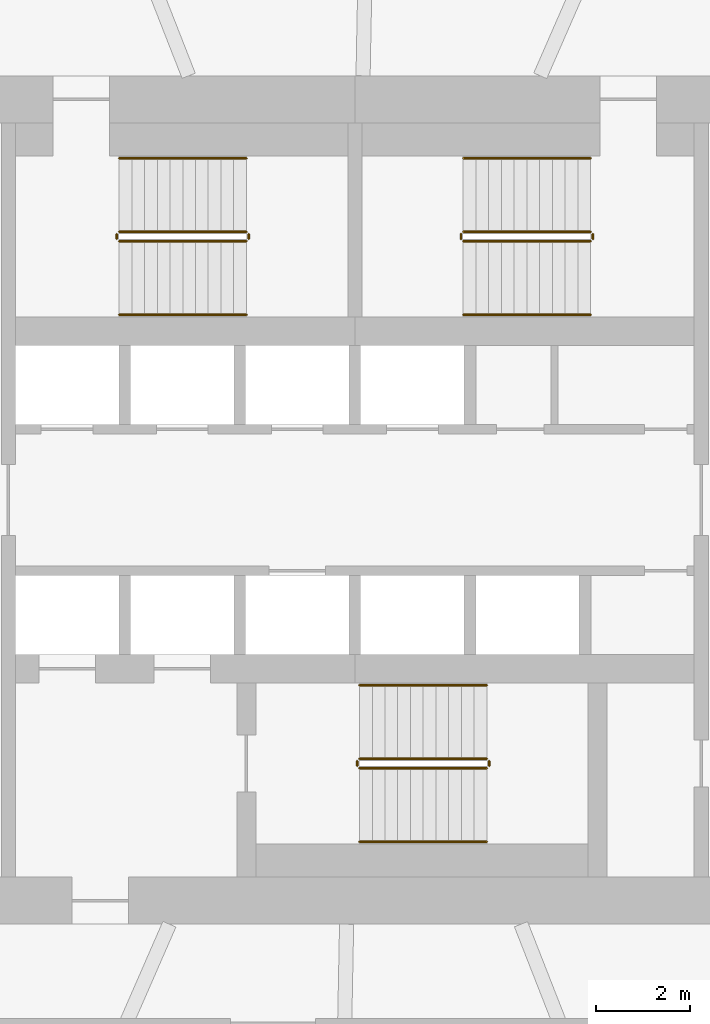
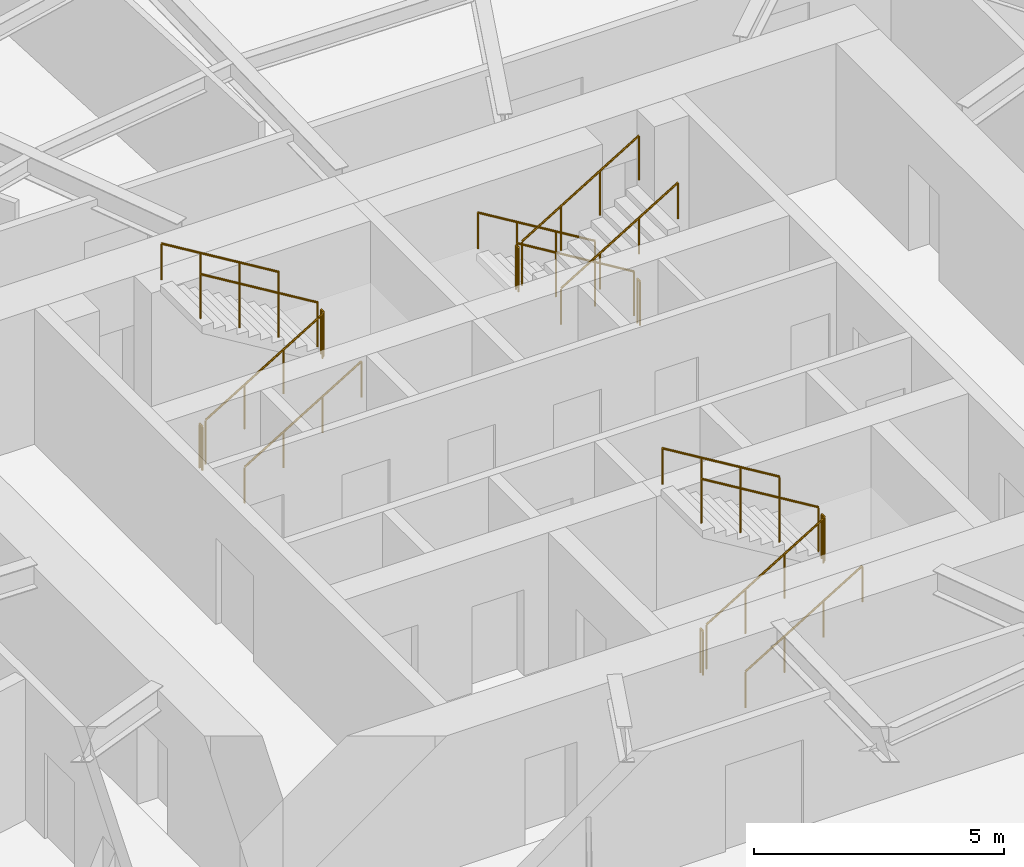
# One storey, part 13 of 15: 18 railings.
"""IFC4 building model written with IfcOpenShell, lengths in metres."""

from ifc_helpers import new_model, si_unit, direction, frame, origin, origin_2d, place, context, subcontext, project, spatial, circle, extrude, material, type_object, element, save


model = new_model("IFC4")

# Units and contexts
model_context = context("Model", 3, precision=1e-05, world=origin(), true_north=direction((0.0, 1.0)))
body_context = subcontext(model_context, "Body", "Model", "MODEL_VIEW")
ifc_project = project(units=[si_unit("LENGTHUNIT", "METRE"), si_unit("AREAUNIT", "SQUARE_METRE"), si_unit("VOLUMEUNIT", "CUBIC_METRE"), si_unit("PLANEANGLEUNIT", "RADIAN"), si_unit("MASSUNIT", "GRAM", prefix="KILO")], contexts=[model_context])

# Site, building, storey
site_placement = place(None, origin())
site = spatial("IfcSite", under=ifc_project, at=site_placement, CompositionType="ELEMENT")
building_placement = place(site_placement, origin())
building = spatial("IfcBuilding", under=site, at=building_placement, Name="Vermilion Reach Broadcast Tower", CompositionType="ELEMENT")
storey_placement = place(building_placement, frame((0.0, 0.0, 183.0)))
storey = spatial("IfcBuildingStorey", under=building, at=storey_placement, Name="L44", CompositionType="ELEMENT", Elevation=183.0)

# Railings
ifc_material_1 = material(Name="Stainless steel", Category="steel")
railing_type_1 = type_object("IfcRailingType", Name="Stair guard 1100", PredefinedType="GUARDRAIL", material=ifc_material_1)
railing_1_placement = place(storey_placement, frame((-11.0, 5.489990234375, 0.16357421875)))
element("IfcRailing", 1, at=railing_1_placement, inside=storey, type_object=railing_type_1, Name="L44 ST1 stair guard 1", PredefinedType="GUARDRAIL", context=body_context, shape_type="SweptSolid", body=[
    extrude(circle(Radius=0.02392578125, at=origin_2d()), frame((0.0, 0.0, 1.076171875), z_axis=(0.855178096276, 0.0, 0.518334277904), x_axis=(0.0, 1.0, 0.0)), (0.0, 0.0, 1.0), 3.1572265625),
    extrude(circle(Radius=0.02099609375, at=origin_2d()), origin(), (0.0, 0.0, 1.0), 1.052001953125),
    extrude(circle(Radius=0.02099609375, at=origin_2d()), frame((0.89990234375, 0.0, 0.54541015625)), (0.0, 0.0, 1.0), 1.052001953125),
    extrude(circle(Radius=0.02099609375, at=origin_2d()), frame((1.800048828125, 0.0, 1.091064453125)), (0.0, 0.0, 1.0), 1.052001953125),
    extrude(circle(Radius=0.02099609375, at=origin_2d()), frame((2.699951171875, 0.0, 1.636474609375)), (0.0, 0.0, 1.0), 1.052001953125),
])
railing_2_placement = place(storey_placement, frame((-8.25, 5.5400390625, 1.800048828125)))
element("IfcRailing", 2, at=railing_2_placement, inside=storey, type_object=railing_type_1, Name="L44 ST1 stair guard 2", PredefinedType="GUARDRAIL", context=body_context, shape_type="SweptSolid", body=[
    extrude(circle(Radius=0.02392578125, at=origin_2d()), frame((0.0, 0.0, 1.076171875), z_axis=(0.0, 1.0, 0.0), x_axis=(-1.0, 0.0, 0.0)), (0.0, 0.0, 1.0), 0.099853515625),
    extrude(circle(Radius=0.02099609375, at=origin_2d()), origin(), (0.0, 0.0, 1.0), 1.052001953125),
    extrude(circle(Radius=0.02099609375, at=origin_2d()), frame((0.0, 0.099853515625, 0.0)), (0.0, 0.0, 1.0), 1.052001953125),
])
railing_3_placement = place(storey_placement, frame((-8.300048828125, 5.68994140625, 1.963623046875)))
element("IfcRailing", 3, at=railing_3_placement, inside=storey, type_object=railing_type_1, Name="L44 ST1 stair guard 3", PredefinedType="GUARDRAIL", context=body_context, shape_type="SweptSolid", body=[
    extrude(circle(Radius=0.02392578125, at=origin_2d()), frame((0.0, 0.0, 1.076171875), z_axis=(-0.855178096276, 0.0, 0.518334277904), x_axis=(0.0, -1.0, 0.0)), (0.0, 0.0, 1.0), 3.1572265625),
    extrude(circle(Radius=0.02099609375, at=origin_2d()), origin(), (0.0, 0.0, 1.0), 1.052001953125),
    extrude(circle(Radius=0.02099609375, at=origin_2d()), frame((-0.89990234375, 0.0, 0.54541015625)), (0.0, 0.0, 1.0), 1.052001953125),
    extrude(circle(Radius=0.02099609375, at=origin_2d()), frame((-1.800048828125, 0.0, 1.091064453125)), (0.0, 0.0, 1.0), 1.052001953125),
    extrude(circle(Radius=0.02099609375, at=origin_2d()), frame((-2.699951171875, 0.0, 1.636474609375)), (0.0, 0.0, 1.0), 1.052001953125),
])
railing_4_placement = place(storey_placement, frame((-11.050048828125, 5.5400390625, 0.0)))
element("IfcRailing", 4, at=railing_4_placement, inside=storey, type_object=railing_type_1, Name="L44 ST1 stair guard 4", PredefinedType="GUARDRAIL", context=body_context, shape_type="SweptSolid", body=[
    extrude(circle(Radius=0.02392578125, at=origin_2d()), frame((0.0, 0.0, 1.076171875), z_axis=(0.0, 1.0, 0.0), x_axis=(-1.0, 0.0, 0.0)), (0.0, 0.0, 1.0), 0.099853515625),
    extrude(circle(Radius=0.02099609375, at=origin_2d()), origin(), (0.0, 0.0, 1.0), 1.052001953125),
    extrude(circle(Radius=0.02099609375, at=origin_2d()), frame((0.0, 0.099853515625, 0.0)), (0.0, 0.0, 1.0), 1.052001953125),
])
railing_5_placement = place(storey_placement, frame((-1.0, 5.68994140625, 0.16357421875)))
element("IfcRailing", 5, at=railing_5_placement, inside=storey, type_object=railing_type_1, Name="L44 ST2 stair guard 1", PredefinedType="GUARDRAIL", context=body_context, shape_type="SweptSolid", body=[
    extrude(circle(Radius=0.02392578125, at=origin_2d()), frame((0.0, 0.0, 1.076171875), z_axis=(-0.855178096276, 0.0, 0.518334277904), x_axis=(0.0, -1.0, 0.0)), (0.0, 0.0, 1.0), 3.1572265625),
    extrude(circle(Radius=0.02099609375, at=origin_2d()), origin(), (0.0, 0.0, 1.0), 1.052001953125),
    extrude(circle(Radius=0.02099609375, at=origin_2d()), frame((-0.89990234375, 0.0, 0.54541015625)), (0.0, 0.0, 1.0), 1.052001953125),
    extrude(circle(Radius=0.02099609375, at=origin_2d()), frame((-1.800048828125, 0.0, 1.091064453125)), (0.0, 0.0, 1.0), 1.052001953125),
    extrude(circle(Radius=0.02099609375, at=origin_2d()), frame((-2.699951171875, 0.0, 1.636474609375)), (0.0, 0.0, 1.0), 1.052001953125),
])
railing_6_placement = place(storey_placement, frame((-3.75, 5.639892578125, 1.800048828125)))
element("IfcRailing", 6, at=railing_6_placement, inside=storey, type_object=railing_type_1, Name="L44 ST2 stair guard 2", PredefinedType="GUARDRAIL", context=body_context, shape_type="SweptSolid", body=[
    extrude(circle(Radius=0.02392578125, at=origin_2d()), frame((0.0, 0.0, 1.076171875), z_axis=(0.0, -1.0, 0.0), x_axis=(1.0, 0.0, 0.0)), (0.0, 0.0, 1.0), 0.099853515625),
    extrude(circle(Radius=0.02099609375, at=origin_2d()), origin(), (0.0, 0.0, 1.0), 1.052001953125),
    extrude(circle(Radius=0.02099609375, at=origin_2d()), frame((0.0, -0.099853515625, 0.0)), (0.0, 0.0, 1.0), 1.052001953125),
])
railing_7_placement = place(storey_placement, frame((-3.699951171875, 5.489990234375, 1.963623046875)))
element("IfcRailing", 7, at=railing_7_placement, inside=storey, type_object=railing_type_1, Name="L44 ST2 stair guard 3", PredefinedType="GUARDRAIL", context=body_context, shape_type="SweptSolid", body=[
    extrude(circle(Radius=0.02392578125, at=origin_2d()), frame((0.0, 0.0, 1.076171875), z_axis=(0.855178096276, 0.0, 0.518334277904), x_axis=(0.0, 1.0, 0.0)), (0.0, 0.0, 1.0), 3.1572265625),
    extrude(circle(Radius=0.02099609375, at=origin_2d()), origin(), (0.0, 0.0, 1.0), 1.052001953125),
    extrude(circle(Radius=0.02099609375, at=origin_2d()), frame((0.89990234375, 0.0, 0.54541015625)), (0.0, 0.0, 1.0), 1.052001953125),
    extrude(circle(Radius=0.02099609375, at=origin_2d()), frame((1.800048828125, 0.0, 1.091064453125)), (0.0, 0.0, 1.0), 1.052001953125),
    extrude(circle(Radius=0.02099609375, at=origin_2d()), frame((2.699951171875, 0.0, 1.636474609375)), (0.0, 0.0, 1.0), 1.052001953125),
])
railing_8_placement = place(storey_placement, frame((-0.949951171875, 5.639892578125, 0.0)))
element("IfcRailing", 8, at=railing_8_placement, inside=storey, type_object=railing_type_1, Name="L44 ST2 stair guard 4", PredefinedType="GUARDRAIL", context=body_context, shape_type="SweptSolid", body=[
    extrude(circle(Radius=0.02392578125, at=origin_2d()), frame((0.0, 0.0, 1.076171875), z_axis=(0.0, -1.0, 0.0), x_axis=(1.0, 0.0, 0.0)), (0.0, 0.0, 1.0), 0.099853515625),
    extrude(circle(Radius=0.02099609375, at=origin_2d()), origin(), (0.0, 0.0, 1.0), 1.052001953125),
    extrude(circle(Radius=0.02099609375, at=origin_2d()), frame((0.0, -0.099853515625, 0.0)), (0.0, 0.0, 1.0), 1.052001953125),
])
railing_9_placement = place(storey_placement, frame((-5.89990234375, -5.68994140625, 0.16357421875)))
element("IfcRailing", 9, at=railing_9_placement, inside=storey, type_object=railing_type_1, Name="L44 ST3 stair guard 1", PredefinedType="GUARDRAIL", context=body_context, shape_type="SweptSolid", body=[
    extrude(circle(Radius=0.02392578125, at=origin_2d()), frame((0.0, 0.0, 1.076171875), z_axis=(0.855178096276, 0.0, 0.518334277904), x_axis=(0.0, 1.0, 0.0)), (0.0, 0.0, 1.0), 3.1572265625),
    extrude(circle(Radius=0.02099609375, at=origin_2d()), origin(), (0.0, 0.0, 1.0), 1.052001953125),
    extrude(circle(Radius=0.02099609375, at=origin_2d()), frame((0.89990234375, 0.0, 0.54541015625)), (0.0, 0.0, 1.0), 1.052001953125),
    extrude(circle(Radius=0.02099609375, at=origin_2d()), frame((1.800048828125, 0.0, 1.091064453125)), (0.0, 0.0, 1.0), 1.052001953125),
    extrude(circle(Radius=0.02099609375, at=origin_2d()), frame((2.699951171875, 0.0, 1.636474609375)), (0.0, 0.0, 1.0), 1.052001953125),
])
railing_10_placement = place(storey_placement, frame((-3.14990234375, -5.639892578125, 1.800048828125)))
element("IfcRailing", 10, at=railing_10_placement, inside=storey, type_object=railing_type_1, Name="L44 ST3 stair guard 2", PredefinedType="GUARDRAIL", context=body_context, shape_type="SweptSolid", body=[
    extrude(circle(Radius=0.02392578125, at=origin_2d()), frame((0.0, 0.0, 1.076171875), z_axis=(0.0, 1.0, 0.0), x_axis=(-1.0, 0.0, 0.0)), (0.0, 0.0, 1.0), 0.099853515625),
    extrude(circle(Radius=0.02099609375, at=origin_2d()), origin(), (0.0, 0.0, 1.0), 1.052001953125),
    extrude(circle(Radius=0.02099609375, at=origin_2d()), frame((0.0, 0.099853515625, 0.0)), (0.0, 0.0, 1.0), 1.052001953125),
])
railing_11_placement = place(storey_placement, frame((-3.199951171875, -5.489990234375, 1.963623046875)))
element("IfcRailing", 11, at=railing_11_placement, inside=storey, type_object=railing_type_1, Name="L44 ST3 stair guard 3", PredefinedType="GUARDRAIL", context=body_context, shape_type="SweptSolid", body=[
    extrude(circle(Radius=0.02392578125, at=origin_2d()), frame((0.0, 0.0, 1.076171875), z_axis=(-0.855178096276, 0.0, 0.518334277904), x_axis=(0.0, -1.0, 0.0)), (0.0, 0.0, 1.0), 3.1572265625),
    extrude(circle(Radius=0.02099609375, at=origin_2d()), origin(), (0.0, 0.0, 1.0), 1.052001953125),
    extrude(circle(Radius=0.02099609375, at=origin_2d()), frame((-0.89990234375, 0.0, 0.54541015625)), (0.0, 0.0, 1.0), 1.052001953125),
    extrude(circle(Radius=0.02099609375, at=origin_2d()), frame((-1.800048828125, 0.0, 1.091064453125)), (0.0, 0.0, 1.0), 1.052001953125),
    extrude(circle(Radius=0.02099609375, at=origin_2d()), frame((-2.699951171875, 0.0, 1.636474609375)), (0.0, 0.0, 1.0), 1.052001953125),
])
railing_12_placement = place(storey_placement, frame((-5.949951171875, -5.639892578125, 0.0)))
element("IfcRailing", 12, at=railing_12_placement, inside=storey, type_object=railing_type_1, Name="L44 ST3 stair guard 4", PredefinedType="GUARDRAIL", context=body_context, shape_type="SweptSolid", body=[
    extrude(circle(Radius=0.02392578125, at=origin_2d()), frame((0.0, 0.0, 1.076171875), z_axis=(0.0, 1.0, 0.0), x_axis=(-1.0, 0.0, 0.0)), (0.0, 0.0, 1.0), 0.099853515625),
    extrude(circle(Radius=0.02099609375, at=origin_2d()), origin(), (0.0, 0.0, 1.0), 1.052001953125),
    extrude(circle(Radius=0.02099609375, at=origin_2d()), frame((0.0, 0.099853515625, 0.0)), (0.0, 0.0, 1.0), 1.052001953125),
])
ifc_material_2 = material(Name="Stainless steel", Category="steel")
railing_type_2 = type_object("IfcRailingType", Name="Stair handrail", PredefinedType="HANDRAIL", material=ifc_material_2)
railing_13_placement = place(storey_placement, frame((-11.0, 3.929931640625, 0.16357421875)))
element("IfcRailing", 13, at=railing_13_placement, inside=storey, type_object=railing_type_2, Name="L44 ST1 stair handrail 1", PredefinedType="HANDRAIL", context=body_context, shape_type="SweptSolid", body=[
    extrude(circle(Radius=0.02392578125, at=origin_2d()), frame((0.0, 0.0, 0.8759765625), z_axis=(0.855178096276, 0.0, 0.518334277904), x_axis=(0.0, 1.0, 0.0)), (0.0, 0.0, 1.0), 3.1572265625),
    extrude(circle(Radius=0.02099609375, at=origin_2d()), origin(), (0.0, 0.0, 1.0), 0.851806640625),
    extrude(circle(Radius=0.02099609375, at=origin_2d()), frame((0.89990234375, 0.0, 0.54541015625)), (0.0, 0.0, 1.0), 0.851806640625),
    extrude(circle(Radius=0.02099609375, at=origin_2d()), frame((1.800048828125, 0.0, 1.091064453125)), (0.0, 0.0, 1.0), 0.851806640625),
    extrude(circle(Radius=0.02099609375, at=origin_2d()), frame((2.699951171875, 0.0, 1.636474609375)), (0.0, 0.0, 1.0), 0.851806640625),
])
for number, where, name in (
    (14, (-8.300048828125, 7.25, 1.963623046875), "L44 ST1 stair handrail 2"),
    (15, (-1.0, 7.25, 0.16357421875), "L44 ST2 stair handrail 1"),
):
    element("IfcRailing", number, at=place(storey_placement, frame(where)), inside=storey, type_object=railing_type_2, Name=name, PredefinedType="HANDRAIL", context=body_context, shape_type="SweptSolid", body=[
        extrude(circle(Radius=0.02392578125, at=origin_2d()), frame((0.0, 0.0, 0.8759765625), z_axis=(-0.855178096276, 0.0, 0.518334277904), x_axis=(0.0, -1.0, 0.0)), (0.0, 0.0, 1.0), 3.1572265625),
        extrude(circle(Radius=0.02099609375, at=origin_2d()), origin(), (0.0, 0.0, 1.0), 0.851806640625),
        extrude(circle(Radius=0.02099609375, at=origin_2d()), frame((-0.89990234375, 0.0, 0.54541015625)), (0.0, 0.0, 1.0), 0.851806640625),
        extrude(circle(Radius=0.02099609375, at=origin_2d()), frame((-1.800048828125, 0.0, 1.091064453125)), (0.0, 0.0, 1.0), 0.851806640625),
        extrude(circle(Radius=0.02099609375, at=origin_2d()), frame((-2.699951171875, 0.0, 1.636474609375)), (0.0, 0.0, 1.0), 0.851806640625),
    ])
for number, where, name in (
    (16, (-3.699951171875, 3.929931640625, 1.963623046875), "L44 ST2 stair handrail 2"),
    (17, (-5.89990234375, -7.25, 0.16357421875), "L44 ST3 stair handrail 1"),
):
    element("IfcRailing", number, at=place(storey_placement, frame(where)), inside=storey, type_object=railing_type_2, Name=name, PredefinedType="HANDRAIL", context=body_context, shape_type="SweptSolid", body=[
        extrude(circle(Radius=0.02392578125, at=origin_2d()), frame((0.0, 0.0, 0.8759765625), z_axis=(0.855178096276, 0.0, 0.518334277904), x_axis=(0.0, 1.0, 0.0)), (0.0, 0.0, 1.0), 3.1572265625),
        extrude(circle(Radius=0.02099609375, at=origin_2d()), origin(), (0.0, 0.0, 1.0), 0.851806640625),
        extrude(circle(Radius=0.02099609375, at=origin_2d()), frame((0.89990234375, 0.0, 0.54541015625)), (0.0, 0.0, 1.0), 0.851806640625),
        extrude(circle(Radius=0.02099609375, at=origin_2d()), frame((1.800048828125, 0.0, 1.091064453125)), (0.0, 0.0, 1.0), 0.851806640625),
        extrude(circle(Radius=0.02099609375, at=origin_2d()), frame((2.699951171875, 0.0, 1.636474609375)), (0.0, 0.0, 1.0), 0.851806640625),
    ])
railing_14_placement = place(storey_placement, frame((-3.199951171875, -3.929931640625, 1.963623046875)))
element("IfcRailing", 18, at=railing_14_placement, inside=storey, type_object=railing_type_2, Name="L44 ST3 stair handrail 2", PredefinedType="HANDRAIL", context=body_context, shape_type="SweptSolid", body=[
    extrude(circle(Radius=0.02392578125, at=origin_2d()), frame((0.0, 0.0, 0.8759765625), z_axis=(-0.855178096276, 0.0, 0.518334277904), x_axis=(0.0, -1.0, 0.0)), (0.0, 0.0, 1.0), 3.1572265625),
    extrude(circle(Radius=0.02099609375, at=origin_2d()), origin(), (0.0, 0.0, 1.0), 0.851806640625),
    extrude(circle(Radius=0.02099609375, at=origin_2d()), frame((-0.89990234375, 0.0, 0.54541015625)), (0.0, 0.0, 1.0), 0.851806640625),
    extrude(circle(Radius=0.02099609375, at=origin_2d()), frame((-1.800048828125, 0.0, 1.091064453125)), (0.0, 0.0, 1.0), 0.851806640625),
    extrude(circle(Radius=0.02099609375, at=origin_2d()), frame((-2.699951171875, 0.0, 1.636474609375)), (0.0, 0.0, 1.0), 0.851806640625),
])

save(model, "model.ifc")
